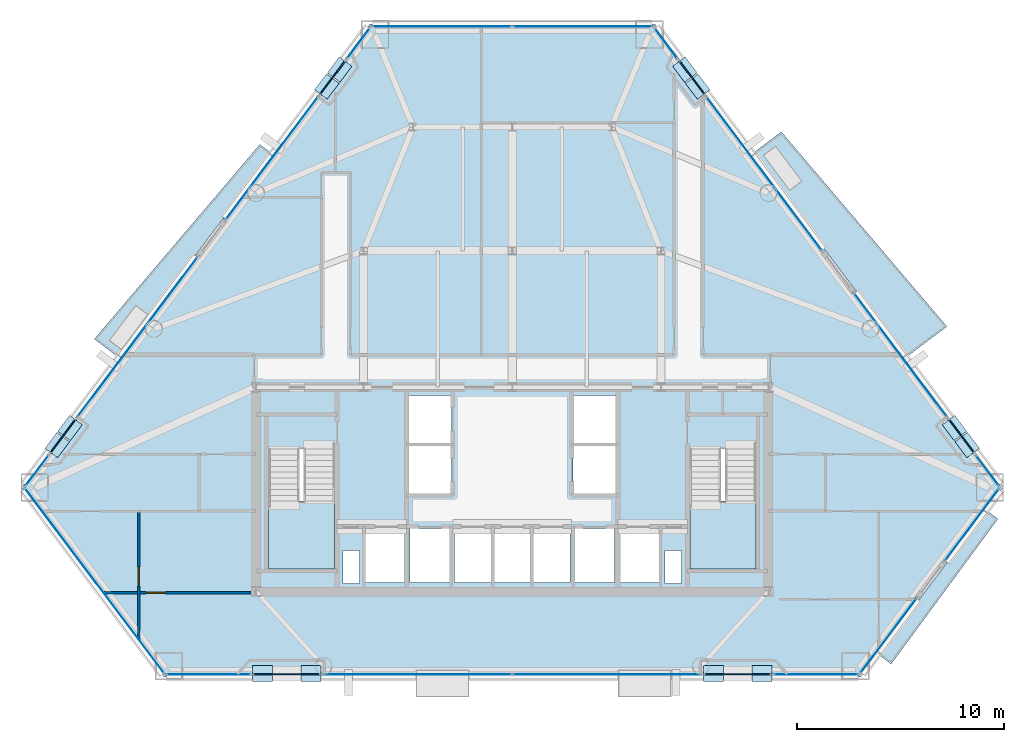
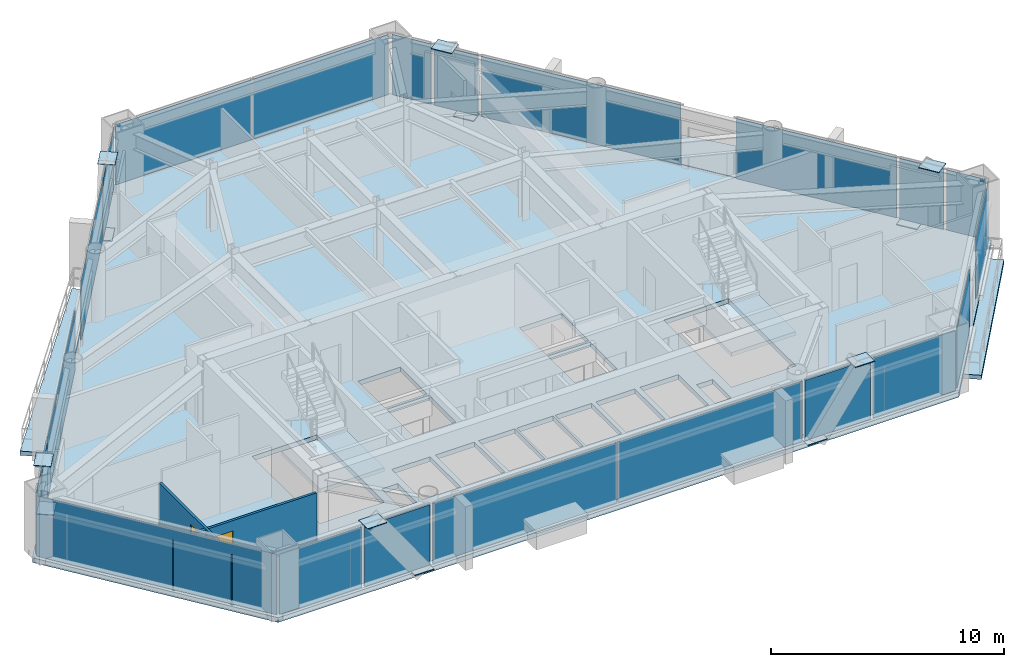
# One storey, part 5 of 10: 35 plates, 6 slabs, 2 doors, 2 walls, 2 openings, 23 elements without a shape of their own.
"""IFC4 building model written with IfcOpenShell, lengths in metres."""

from ifc_helpers import new_model, si_unit, direction, frame, frame_2d, origin, origin_2d, place, context, subcontext, project, spatial, polyline, rectangle, outline, extrude, source, transform, mapped, material, layer, layer_set, type_object, type_shapes, element, fill, aggregate, save


model = new_model("IFC4")

# Units and contexts
model_context = context("Model", 3, precision=1e-05, world=origin(), true_north=direction((0.0, 1.0)))
body_context = subcontext(model_context, "Body", "Model", "MODEL_VIEW")
ifc_project = project(units=[si_unit("LENGTHUNIT", "METRE"), si_unit("AREAUNIT", "SQUARE_METRE"), si_unit("VOLUMEUNIT", "CUBIC_METRE"), si_unit("PLANEANGLEUNIT", "RADIAN"), si_unit("MASSUNIT", "GRAM", prefix="KILO")], contexts=[model_context])

# Site, building, storey
site_placement = place(None, origin())
site = spatial("IfcSite", under=ifc_project, at=site_placement, CompositionType="ELEMENT")
building_placement = place(site_placement, origin())
building = spatial("IfcBuilding", under=site, at=building_placement, Name="Talgorran Terracotta Tower", CompositionType="ELEMENT")
storey_placement = place(building_placement, frame((0.0, 0.0, 86.39990234375)))
storey = spatial("IfcBuildingStorey", under=building, at=storey_placement, Name="L22", CompositionType="ELEMENT", Elevation=86.39990234375)

# Plates
ifc_material_1 = material(Name="Steel Grade 350 (350L0)", Category="steel")
ifc_layer_1 = layer(ifc_material_1, 0.0400390625, Name="PL_CAP_MN05")
ifc_layer_set_1 = layer_set([ifc_layer_1], Name="Steel Grade 350 (350L0)")
plate_type_1 = type_object("IfcPlateType", Name="PL_CAP_MN05", PredefinedType="USERDEFINED", material=ifc_layer_set_1)
for number, where, z_axis, x_axis, name in (
    (1, (-9.740234375, -18.062255859375, -0.010009765625), (0.0, 0.0, 1.0), (-1.0, 0.0, 0.0), "L22 Diagonal Frame End Cap SWF Bot"),
    (2, (-12.09130859375, -18.062255859375, 3.25), (0.0, 0.0, 1.0), (-1.0, 0.0, 0.0), "L22 Diagonal Frame End Cap SWF Top"),
    (3, (9.740234375, -18.062255859375, -0.010009765625), (0.0, 0.0, 1.0), (1.0, 0.0, 0.0), "L22 Diagonal Frame End Cap SEF Bot"),
    (4, (12.09130859375, -18.062255859375, 3.25), (0.0, 0.0, 1.0), (1.0, 0.0, 0.0), "L22 Diagonal Frame End Cap SEF Top"),
    (5, (21.40869140625, -6.177978515625, -0.010009765625), (0.0, 0.0, 1.0), (0.601117853128, -0.799160388565, 0.0), "L22 Diagonal Frame End Cap NEL Bot"),
    (6, (22.028564453125, -7.002197265625, 3.25), (0.0, 0.0, 1.0), (0.601117853128, -0.799160388565, 0.0), "L22 Diagonal Frame End Cap NEL Top"),
    (7, (8.977783203125, 10.351318359375, -0.010009765625), (0.0, 0.0, 1.0), (-0.601117853128, 0.799160388565, 0.0), "L22 Diagonal Frame End Cap NEU Bot"),
    (8, (8.35791015625, 11.175537109375, 3.25), (0.0, 0.0, 1.0), (-0.601117853128, 0.799160388565, 0.0), "L22 Diagonal Frame End Cap NEU Top"),
    (9, (-8.977783203125, 10.351318359375, -0.010009765625), (0.0, 0.0, 1.0), (0.601117853128, 0.799160388565, 0.0), "L22 Diagonal Frame End Cap NWU Bot"),
    (10, (-8.35791015625, 11.175537109375, 3.25), (0.0, 0.0, 1.0), (0.601117853128, 0.799160388565, 0.0), "L22 Diagonal Frame End Cap NWU Top"),
    (11, (-21.40869140625, -6.177978515625, -0.010009765625), (0.0, 0.0, 1.0), (-0.601117853128, -0.799160388565, 0.0), "L22 Diagonal Frame End Cap NWL Bot"),
    (12, (-22.028564453125, -7.002197265625, 3.25), (0.0, 0.0, 1.0), (-0.601117853128, -0.799160388565, 0.0), "L22 Diagonal Frame End Cap NWL Top"),
):
    element("IfcPlate", number, at=place(storey_placement, frame(where, z_axis=z_axis, x_axis=x_axis)), inside=storey, type_object=plate_type_1, Name=name, ObjectType="CAP PLATE", PredefinedType="USERDEFINED", context=body_context, shape_type="SweptSolid", body=[
        extrude(rectangle(XDim=0.9599609375, YDim=0.760009765625, at=origin_2d()), origin(), (0.0, 0.0, 1.0), 0.0400390625),
    ])

# Slabs
ifc_material_2 = material(Name="Concrete C40/50", Category="concrete")
ifc_layer_2 = layer(ifc_material_2, 0.219970703125, Name="SL_BALCONY_220")
ifc_layer_set_2 = layer_set([ifc_layer_2], Name="Concrete C40/50")
slab_type_1 = type_object("IfcSlabType", Name="SL_BALCONY_220", PredefinedType="FLOOR", material=ifc_layer_set_2)
slab_1_placement = place(storey_placement, frame((0.0, 0.0, -0.219970703125)))
element("IfcSlab", 13, at=slab_1_placement, inside=storey, type_object=slab_type_1, Name="L22 Outdoor Wave Balcony BAL-NE", PredefinedType="FLOOR", context=body_context, shape_type="SweptSolid", body=[
    extrude(outline(polyline([(11.63330078125, 7.11181640625), (19.0576171875, -2.760498046875), (21.044677734375, -1.26611328125), (13.0283203125, 8.1611328125), (11.63330078125, 7.11181640625)])), origin(), (0.0, 0.0, 1.0), 0.219970703125),
])
slab_2_placement = place(storey_placement, frame((0.0, 0.0, -0.219970703125)))
element("IfcSlab", 14, at=slab_2_placement, inside=storey, type_object=slab_type_1, Name="L22 Outdoor Wave Balcony BAL-NW", PredefinedType="FLOOR", context=body_context, shape_type="SweptSolid", body=[
    extrude(outline(polyline([(-19.0576171875, -2.760498046875), (-11.63330078125, 7.11181640625), (-12.219482421875, 7.552734375), (-20.23583984375, -1.874267578125), (-19.0576171875, -2.760498046875)])), origin(), (0.0, 0.0, 1.0), 0.219970703125),
])
slab_3_placement = place(storey_placement, frame((0.0, 0.0, -0.219970703125)))
element("IfcSlab", 15, at=slab_3_placement, inside=storey, type_object=slab_type_1, Name="L22 Outdoor Wave Balcony BAL-SE", PredefinedType="FLOOR", context=body_context, shape_type="SweptSolid", body=[
    extrude(outline(polyline([(22.95458984375, -10.1611328125), (17.712890625, -17.130615234375), (18.343505859375, -17.60498046875), (23.514404296875, -10.582275390625), (22.95458984375, -10.1611328125)])), origin(), (0.0, 0.0, 1.0), 0.219970703125),
])

# Stair, slab
stair_type = type_object("IfcStairType", Name="ST_FIRE_SCISSOR", PredefinedType="HALF_TURN_STAIR", material=ifc_material_2)
stair_1_placement = place(storey_placement, origin())
stair_1 = element("IfcStair", 16, at=stair_1_placement, inside=storey, type_object=stair_type, Name="L22 West Protected Fire Stair ST-01", PredefinedType="HALF_TURN_STAIR")
ifc_layer_3 = layer(ifc_material_2, 0.199951171875, Name="SL_LANDING_200")
ifc_layer_set_3 = layer_set([ifc_layer_3], Name="Concrete C40/50")
slab_type_2 = type_object("IfcSlabType", Name="SL_LANDING_200", PredefinedType="LANDING", material=ifc_layer_set_3)
slab_4_placement = place(storey_placement, frame((0.0, 0.0, 1.60009765625)))
slab_4 = element("IfcSlab", 17, at=slab_4_placement, type_object=slab_type_2, Name="ST-01 landing 1", PredefinedType="LANDING", context=body_context, shape_type="SweptSolid", body=[
    extrude(outline(polyline([(-11.800048828125, -9.719970703125), (-11.800048828125, -13.0), (-8.60009765625, -13.0), (-8.60009765625, -9.719970703125), (-11.800048828125, -9.719970703125)])), origin(), (0.0, 0.0, 1.0), 0.199951171875),
])
aggregate(stair_1, [slab_4])

stair_2_placement = place(storey_placement, origin())
stair_2 = element("IfcStair", 18, at=stair_2_placement, inside=storey, type_object=stair_type, Name="L22 East Protected Fire Stair ST-02", PredefinedType="HALF_TURN_STAIR")
slab_5_placement = place(storey_placement, frame((0.0, 0.0, 1.60009765625)))
slab_5 = element("IfcSlab", 19, at=slab_5_placement, type_object=slab_type_2, Name="ST-02 landing 1", PredefinedType="LANDING", context=body_context, shape_type="SweptSolid", body=[
    extrude(outline(polyline([(8.60009765625, -9.719970703125), (8.60009765625, -13.0), (11.800048828125, -13.0), (11.800048828125, -9.719970703125), (8.60009765625, -9.719970703125)])), origin(), (0.0, 0.0, 1.0), 0.199951171875),
])
aggregate(stair_2, [slab_5])

# Slab
ifc_layer_4 = layer(ifc_material_2, 0.264892578125, Name="SL_TOWER_265")
ifc_layer_set_4 = layer_set([ifc_layer_4], Name="Concrete C40/50")
slab_type_3 = type_object("IfcSlabType", Name="SL_TOWER_265", PredefinedType="FLOOR", material=ifc_layer_set_4)
slab_6_placement = place(storey_placement, frame((0.0, 0.0, -0.25)))
element("IfcSlab", 20, at=slab_6_placement, inside=storey, type_object=slab_type_3, Name="Storey L22 Structural Floor Slab", PredefinedType="FLOOR", context=body_context, shape_type="SweptSolid", body=[
    extrude(outline(polyline([(-23.77001953125, -9.0517578125), (-16.873291015625, -18.22216796875), (16.873291015625, -18.22216796875), (23.77001953125, -9.0517578125), (6.896484375, 13.385009765625), (-6.896484375, 13.385009765625), (-23.77001953125, -9.0517578125)]), holes=[polyline([(-11.800048828125, -7.199951171875), (-11.800048828125, -13.0), (-8.60009765625, -13.0), (-8.60009765625, -7.199951171875), (-11.800048828125, -7.199951171875)]), polyline([(8.60009765625, -7.199951171875), (8.60009765625, -13.0), (11.800048828125, -13.0), (11.800048828125, -7.199951171875), (8.60009765625, -7.199951171875)]), polyline([(-7.10009765625, -13.64990234375), (-5.199951171875, -13.64990234375), (-5.199951171875, -11.050048828125), (-7.10009765625, -11.050048828125), (-7.10009765625, -13.64990234375)]), polyline([(5.199951171875, -13.64990234375), (7.10009765625, -13.64990234375), (7.10009765625, -11.050048828125), (5.199951171875, -11.050048828125), (5.199951171875, -13.64990234375)]), polyline([(3.0, -13.64990234375), (4.949951171875, -13.64990234375), (4.949951171875, -11.050048828125), (3.0, -11.050048828125), (3.0, -13.64990234375)]), polyline([(-4.949951171875, -13.64990234375), (-3.0, -13.64990234375), (-3.0, -11.050048828125), (-4.949951171875, -11.050048828125), (-4.949951171875, -13.64990234375)]), polyline([(-5.050048828125, -9.35009765625), (-2.949951171875, -9.35009765625), (-2.949951171875, -7.050048828125), (-5.050048828125, -7.050048828125), (-5.050048828125, -9.35009765625)]), polyline([(-5.050048828125, -6.89990234375), (-2.949951171875, -6.89990234375), (-2.949951171875, -4.60009765625), (-5.050048828125, -4.60009765625), (-5.050048828125, -6.89990234375)]), polyline([(2.949951171875, -9.35009765625), (5.050048828125, -9.35009765625), (5.050048828125, -7.050048828125), (2.949951171875, -7.050048828125), (2.949951171875, -9.35009765625)]), polyline([(2.949951171875, -6.89990234375), (5.050048828125, -6.89990234375), (5.050048828125, -4.60009765625), (2.949951171875, -4.60009765625), (2.949951171875, -6.89990234375)]), polyline([(-2.800048828125, -13.64990234375), (-1.0, -13.64990234375), (-1.0, -11.050048828125), (-2.800048828125, -11.050048828125), (-2.800048828125, -13.64990234375)]), polyline([(-0.89990234375, -13.64990234375), (0.89990234375, -13.64990234375), (0.89990234375, -11.050048828125), (-0.89990234375, -11.050048828125), (-0.89990234375, -13.64990234375)]), polyline([(1.0, -13.64990234375), (2.800048828125, -13.64990234375), (2.800048828125, -11.050048828125), (1.0, -11.050048828125), (1.0, -13.64990234375)]), polyline([(-8.199951171875, -13.699951171875), (-7.39990234375, -13.699951171875), (-7.39990234375, -12.10009765625), (-8.199951171875, -12.10009765625), (-8.199951171875, -13.699951171875)]), polyline([(7.39990234375, -13.699951171875), (8.199951171875, -13.699951171875), (8.199951171875, -12.10009765625), (7.39990234375, -12.10009765625), (7.39990234375, -13.699951171875)])]), origin(), (0.0, 0.0, 1.0), 0.25),
])

# Curtain wall, plate
ifc_material_3 = material(Name="Unitised Low-E Double Glazing", Category="glass")
ifc_layer_5 = layer(ifc_material_3, 0.199951171875, Name="CW_SYS2_RES_LOW")
ifc_layer_set_5 = layer_set([ifc_layer_5], Name="Unitised Low-E Double Glazing")
curtain_wall_type = type_object("IfcCurtainWallType", Name="CW_SYS2_RES_LOW", PredefinedType="NOTDEFINED", material=ifc_layer_set_5)
curtain_wall_1_placement = place(storey_placement, origin())
curtain_wall_1 = element("IfcCurtainWall", 21, at=curtain_wall_1_placement, inside=storey, type_object=curtain_wall_type, Name="CW-L22-F0", PredefinedType="NOTDEFINED")
ifc_material_4 = material(Name="Low-E Laminated Vision Glass", Category="glass")
ifc_layer_6 = layer(ifc_material_4, 0.028076171875, Name="PLT_VISION_28")
ifc_layer_set_6 = layer_set([ifc_layer_6], Name="Low-E Laminated Vision Glass")
plate_type_2 = type_object("IfcPlateType", Name="PLT_VISION_28", PredefinedType="CURTAIN_PANEL", material=ifc_layer_set_6)
shared_shape_1 = source(origin(), body_context, "Body", "SweptSolid", [
    extrude(rectangle(XDim=11.1943359375, YDim=0.028076171875, at=origin_2d()), origin(), (0.0, 0.0, 1.0), 3.14990234375),
])
plate_1_placement = place(storey_placement, frame((-20.216796875, -13.576904296875, 0.065185546875), z_axis=(0.0, 0.0, 1.0), x_axis=(0.601052083423, -0.799209855428, 0.0)))
plate_1 = element("IfcPlate", 22, at=plate_1_placement, type_object=plate_type_2, Name="CW-L22-0 panel 1.1", PredefinedType="CURTAIN_PANEL", context=body_context, shape_type="MappedRepresentation", body=[
    mapped(shared_shape_1, transform((0.0, 0.0, 0.0), scale=1.0)),
])
aggregate(curtain_wall_1, [plate_1])

curtain_wall_2_placement = place(storey_placement, origin())
curtain_wall_2 = element("IfcCurtainWall", 23, at=curtain_wall_2_placement, inside=storey, type_object=curtain_wall_type, Name="CW-L22-F1", PredefinedType="NOTDEFINED")
shared_shape_2 = source(origin(), body_context, "Body", "SweptSolid", [
    extrude(rectangle(XDim=4.069580078125, YDim=0.028076171875, at=origin_2d()), origin(), (0.0, 0.0, 1.0), 3.14990234375),
])
plate_2_placement = place(storey_placement, frame((-14.713623046875, -18.102294921875, 0.065185546875), z_axis=(0.0, 0.0, 1.0), x_axis=(1.0, 0.0, 0.0)))
plate_2 = element("IfcPlate", 24, at=plate_2_placement, type_object=plate_type_2, Name="CW-L22-1 panel 1.1", PredefinedType="CURTAIN_PANEL", context=body_context, shape_type="MappedRepresentation", body=[
    mapped(shared_shape_2, transform((0.0, 0.0, 0.0), scale=1.0)),
])
aggregate(curtain_wall_2, [plate_2])

curtain_wall_3_placement = place(storey_placement, origin())
curtain_wall_3 = element("IfcCurtainWall", 25, at=curtain_wall_3_placement, inside=storey, type_object=curtain_wall_type, Name="CW-L22-F1E", PredefinedType="NOTDEFINED")
plate_3_placement = place(storey_placement, frame((14.713623046875, -18.102294921875, 0.065185546875), z_axis=(0.0, 0.0, 1.0), x_axis=(1.0, 0.0, 0.0)))
plate_3 = element("IfcPlate", 26, at=plate_3_placement, type_object=plate_type_2, Name="CW-L22-1E panel 1.1", PredefinedType="CURTAIN_PANEL", context=body_context, shape_type="MappedRepresentation", body=[
    mapped(shared_shape_2, transform((0.0, 0.0, 0.0), scale=1.0)),
])
aggregate(curtain_wall_3, [plate_3])

curtain_wall_4_placement = place(storey_placement, origin())
curtain_wall_4 = element("IfcCurtainWall", 27, at=curtain_wall_4_placement, inside=storey, type_object=curtain_wall_type, Name="CW-L22-F1B", PredefinedType="NOTDEFINED")
ifc_material_5 = material(Name="Terracotta Insulated Spandrel", Category="masonry")
ifc_layer_7 = layer(ifc_material_5, 0.06494140625, Name="PLT_SPANDREL_TERRA")
ifc_layer_set_7 = layer_set([ifc_layer_7], Name="Terracotta Insulated Spandrel")
plate_type_3 = type_object("IfcPlateType", Name="PLT_SPANDREL_TERRA", PredefinedType="SHEET", material=ifc_layer_set_7)
shared_shape_3 = source(origin(), body_context, "Body", "SweptSolid", [
    extrude(rectangle(XDim=3.246337890625, YDim=0.06494140625, at=origin_2d()), origin(), (0.0, 0.0, 1.0), 3.14990234375),
])
plate_4_placement = place(storey_placement, frame((-10.915771484375, -18.102294921875, 0.065185546875), z_axis=(0.0, 0.0, 1.0), x_axis=(1.0, 0.0, 0.0)))
plate_4 = element("IfcPlate", 28, at=plate_4_placement, type_object=plate_type_3, Name="CW-L22-1B panel 1.1", PredefinedType="CURTAIN_PANEL", context=body_context, shape_type="MappedRepresentation", body=[
    mapped(shared_shape_3, transform((0.0, 0.0, 0.0), scale=1.0)),
])
aggregate(curtain_wall_4, [plate_4])

curtain_wall_5_placement = place(storey_placement, origin())
curtain_wall_5 = element("IfcCurtainWall", 29, at=curtain_wall_5_placement, inside=storey, type_object=curtain_wall_type, Name="CW-L22-F1D", PredefinedType="NOTDEFINED")
plate_5_placement = place(storey_placement, frame((10.915771484375, -18.102294921875, 0.065185546875), z_axis=(0.0, 0.0, 1.0), x_axis=(1.0, 0.0, 0.0)))
plate_5 = element("IfcPlate", 30, at=plate_5_placement, type_object=plate_type_3, Name="CW-L22-1D panel 1.1", PredefinedType="CURTAIN_PANEL", context=body_context, shape_type="MappedRepresentation", body=[
    mapped(shared_shape_3, transform((0.0, 0.0, 0.0), scale=1.0)),
])
aggregate(curtain_wall_5, [plate_5])

# Curtain wall, plates
curtain_wall_6_placement = place(storey_placement, origin())
curtain_wall_6 = element("IfcCurtainWall", 31, at=curtain_wall_6_placement, inside=storey, type_object=curtain_wall_type, Name="CW-L22-F1C", PredefinedType="NOTDEFINED")
shared_shape_4 = source(origin(), body_context, "Body", "SweptSolid", [
    extrude(rectangle(XDim=9.1201171875, YDim=0.028076171875, at=origin_2d()), origin(), (0.0, 0.0, 1.0), 3.14990234375),
])
plate_6_placement = place(storey_placement, frame((-4.592529296875, -18.102294921875, 0.065185546875), z_axis=(0.0, 0.0, 1.0), x_axis=(1.0, 0.0, 0.0)))
plate_6 = element("IfcPlate", 32, at=plate_6_placement, type_object=plate_type_2, Name="CW-L22-1C panel 1.1", PredefinedType="CURTAIN_PANEL", context=body_context, shape_type="MappedRepresentation", body=[
    mapped(shared_shape_4, transform((0.0, 0.0, 0.0), scale=1.0)),
])
plate_7_placement = place(storey_placement, frame((4.592529296875, -18.102294921875, 0.065185546875), z_axis=(0.0, 0.0, 1.0), x_axis=(1.0, 0.0, 0.0)))
plate_7 = element("IfcPlate", 33, at=plate_7_placement, type_object=plate_type_2, Name="CW-L22-1C panel 2.1", PredefinedType="CURTAIN_PANEL", context=body_context, shape_type="MappedRepresentation", body=[
    mapped(shared_shape_4, transform((0.0, 0.0, 0.0), scale=1.0)),
])
aggregate(curtain_wall_6, [plate_6, plate_7])

# Curtain wall, plate
curtain_wall_7_placement = place(storey_placement, origin())
curtain_wall_7 = element("IfcCurtainWall", 34, at=curtain_wall_7_placement, inside=storey, type_object=curtain_wall_type, Name="CW-L22-F30", PredefinedType="NOTDEFINED")
shared_shape_5 = source(origin(), body_context, "Body", "SweptSolid", [
    extrude(rectangle(XDim=4.48681640625, YDim=0.028076171875, at=origin_2d()), origin(), (0.0, 0.0, 1.0), 3.14990234375),
])
plate_8_placement = place(storey_placement, frame((18.22509765625, -16.225341796875, 0.065185546875), z_axis=(0.0, 0.0, 1.0), x_axis=(0.601059937514, 0.799203948636, 0.0)))
plate_8 = element("IfcPlate", 35, at=plate_8_placement, type_object=plate_type_2, Name="CW-L22-30 panel 1.1", PredefinedType="CURTAIN_PANEL", context=body_context, shape_type="MappedRepresentation", body=[
    mapped(shared_shape_5, transform((0.0, 0.0, 0.0), scale=1.0)),
])
aggregate(curtain_wall_7, [plate_8])

curtain_wall_8_placement = place(storey_placement, origin())
curtain_wall_8 = element("IfcCurtainWall", 36, at=curtain_wall_8_placement, inside=storey, type_object=curtain_wall_type, Name="CW-L22-F31", PredefinedType="NOTDEFINED")
shared_shape_6 = source(origin(), body_context, "Body", "SweptSolid", [
    extrude(rectangle(XDim=4.33740234375, YDim=0.028076171875, at=origin_2d()), origin(), (0.0, 0.0, 1.0), 3.14990234375),
])
plate_9_placement = place(storey_placement, frame((22.25341796875, -10.868896484375, 0.065185546875), z_axis=(0.0, 0.0, 1.0), x_axis=(0.601059587233, 0.799204212073, 0.0)))
plate_9 = element("IfcPlate", 37, at=plate_9_placement, type_object=plate_type_2, Name="CW-L22-31 panel 1.1", PredefinedType="CURTAIN_PANEL", context=body_context, shape_type="MappedRepresentation", body=[
    mapped(shared_shape_6, transform((0.0, 0.0, 0.0), scale=1.0)),
])
aggregate(curtain_wall_8, [plate_9])

curtain_wall_9_placement = place(storey_placement, origin())
curtain_wall_9 = element("IfcCurtainWall", 38, at=curtain_wall_9_placement, inside=storey, type_object=curtain_wall_type, Name="CW-L22-F40", PredefinedType="NOTDEFINED")
shared_shape_7 = source(origin(), body_context, "Body", "SweptSolid", [
    extrude(rectangle(XDim=1.839599609375, YDim=0.028076171875, at=origin_2d()), origin(), (0.0, 0.0, 1.0), 3.14990234375),
])
plate_10_placement = place(storey_placement, frame((23.004150390625, -8.232666015625, 0.065185546875), z_axis=(0.0, 0.0, 1.0), x_axis=(-0.601079863298, 0.799188962598, 0.0)))
plate_10 = element("IfcPlate", 39, at=plate_10_placement, type_object=plate_type_2, Name="CW-L22-40 panel 1.1", PredefinedType="CURTAIN_PANEL", context=body_context, shape_type="MappedRepresentation", body=[
    mapped(shared_shape_7, transform((0.0, 0.0, 0.0), scale=1.0)),
])
aggregate(curtain_wall_9, [plate_10])

curtain_wall_10_placement = place(storey_placement, origin())
curtain_wall_10 = element("IfcCurtainWall", 40, at=curtain_wall_10_placement, inside=storey, type_object=curtain_wall_type, Name="CW-L22-F61C", PredefinedType="NOTDEFINED")
plate_11_placement = place(storey_placement, frame((-23.004150390625, -8.232666015625, 0.065185546875), z_axis=(0.0, 0.0, 1.0), x_axis=(-0.60104743411, -0.799213351959, 0.0)))
plate_11 = element("IfcPlate", 41, at=plate_11_placement, type_object=plate_type_2, Name="CW-L22-61C panel 1.1", PredefinedType="CURTAIN_PANEL", context=body_context, shape_type="MappedRepresentation", body=[
    mapped(shared_shape_7, transform((0.0, 0.0, 0.0), scale=1.0)),
])
aggregate(curtain_wall_10, [plate_11])

curtain_wall_11_placement = place(storey_placement, origin())
curtain_wall_11 = element("IfcCurtainWall", 42, at=curtain_wall_11_placement, inside=storey, type_object=curtain_wall_type, Name="CW-L22-F40B", PredefinedType="NOTDEFINED")
shared_shape_8 = source(origin(), body_context, "Body", "SweptSolid", [
    extrude(rectangle(XDim=2.051025390625, YDim=0.06494140625, at=origin_2d()), origin(), (0.0, 0.0, 1.0), 3.14990234375),
])
plate_12_placement = place(storey_placement, frame((21.750732421875, -6.566162109375, 0.065185546875), z_axis=(0.0, 0.0, 1.0), x_axis=(-0.601048533674, 0.799212525032, 0.0)))
plate_12 = element("IfcPlate", 43, at=plate_12_placement, type_object=plate_type_3, Name="CW-L22-40B panel 1.1", PredefinedType="CURTAIN_PANEL", context=body_context, shape_type="MappedRepresentation", body=[
    mapped(shared_shape_8, transform((0.0, 0.0, 0.0), scale=1.0)),
])
aggregate(curtain_wall_11, [plate_12])

curtain_wall_12_placement = place(storey_placement, origin())
curtain_wall_12 = element("IfcCurtainWall", 44, at=curtain_wall_12_placement, inside=storey, type_object=curtain_wall_type, Name="CW-L22-F41B", PredefinedType="NOTDEFINED")
plate_13_placement = place(storey_placement, frame((8.699951171875, 10.78759765625, 0.065185546875), z_axis=(0.0, 0.0, 1.0), x_axis=(-0.60107781877, 0.799190500308, 0.0)))
plate_13 = element("IfcPlate", 45, at=plate_13_placement, type_object=plate_type_3, Name="CW-L22-41B panel 1.1", PredefinedType="CURTAIN_PANEL", context=body_context, shape_type="MappedRepresentation", body=[
    mapped(shared_shape_8, transform((0.0, 0.0, 0.0), scale=1.0)),
])
aggregate(curtain_wall_12, [plate_13])

curtain_wall_13_placement = place(storey_placement, origin())
curtain_wall_13 = element("IfcCurtainWall", 46, at=curtain_wall_13_placement, inside=storey, type_object=curtain_wall_type, Name="CW-L22-F60B", PredefinedType="NOTDEFINED")
plate_14_placement = place(storey_placement, frame((-8.699951171875, 10.78759765625, 0.065185546875), z_axis=(0.0, 0.0, 1.0), x_axis=(-0.60107781877, -0.799190500308, 0.0)))
plate_14 = element("IfcPlate", 47, at=plate_14_placement, type_object=plate_type_3, Name="CW-L22-60B panel 1.1", PredefinedType="CURTAIN_PANEL", context=body_context, shape_type="MappedRepresentation", body=[
    mapped(shared_shape_8, transform((0.0, 0.0, 0.0), scale=1.0)),
])
aggregate(curtain_wall_13, [plate_14])

curtain_wall_14_placement = place(storey_placement, origin())
curtain_wall_14 = element("IfcCurtainWall", 48, at=curtain_wall_14_placement, inside=storey, type_object=curtain_wall_type, Name="CW-L22-F40C", PredefinedType="NOTDEFINED")
shared_shape_9 = source(origin(), body_context, "Body", "SweptSolid", [
    extrude(rectangle(XDim=7.482177734375, YDim=0.028076171875, at=origin_2d()), origin(), (0.0, 0.0, 1.0), 3.14990234375),
])
plate_15_placement = place(storey_placement, frame((18.801513671875, -2.64453125, 0.065185546875), z_axis=(0.0, 0.0, 1.0), x_axis=(-0.601052534013, 0.799209516558, 0.0)))
plate_15 = element("IfcPlate", 49, at=plate_15_placement, type_object=plate_type_2, Name="CW-L22-40C panel 1.1", PredefinedType="CURTAIN_PANEL", context=body_context, shape_type="MappedRepresentation", body=[
    mapped(shared_shape_9, transform((0.0, 0.0, 0.0), scale=1.0)),
])
aggregate(curtain_wall_14, [plate_15])

curtain_wall_15_placement = place(storey_placement, origin())
curtain_wall_15 = element("IfcCurtainWall", 50, at=curtain_wall_15_placement, inside=storey, type_object=curtain_wall_type, Name="CW-L22-F41", PredefinedType="NOTDEFINED")
shared_shape_10 = source(origin(), body_context, "Body", "SweptSolid", [
    extrude(rectangle(XDim=9.31005859375, YDim=0.028076171875, at=origin_2d()), origin(), (0.0, 0.0, 1.0), 3.14990234375),
])
plate_16_placement = place(storey_placement, frame((12.198486328125, 6.1357421875, 0.065185546875), z_axis=(0.0, 0.0, 1.0), x_axis=(-0.601048617911, 0.799212461682, 0.0)))
plate_16 = element("IfcPlate", 51, at=plate_16_placement, type_object=plate_type_2, Name="CW-L22-41 panel 1.1", PredefinedType="CURTAIN_PANEL", context=body_context, shape_type="MappedRepresentation", body=[
    mapped(shared_shape_10, transform((0.0, 0.0, 0.0), scale=1.0)),
])
aggregate(curtain_wall_15, [plate_16])

curtain_wall_16_placement = place(storey_placement, origin())
curtain_wall_16 = element("IfcCurtainWall", 52, at=curtain_wall_16_placement, inside=storey, type_object=curtain_wall_type, Name="CW-L22-F41C", PredefinedType="NOTDEFINED")
shared_shape_11 = source(origin(), body_context, "Body", "SweptSolid", [
    extrude(rectangle(XDim=1.829345703125, YDim=0.028076171875, at=origin_2d()), origin(), (0.0, 0.0, 1.0), 3.14990234375),
])
plate_17_placement = place(storey_placement, frame((7.449462890625, 12.4501953125, 0.065185546875), z_axis=(0.0, 0.0, 1.0), x_axis=(-0.601044694277, 0.79921541244, 0.0)))
plate_17 = element("IfcPlate", 53, at=plate_17_placement, type_object=plate_type_2, Name="CW-L22-41C panel 1.1", PredefinedType="CURTAIN_PANEL", context=body_context, shape_type="MappedRepresentation", body=[
    mapped(shared_shape_11, transform((0.0, 0.0, 0.0), scale=1.0)),
])
aggregate(curtain_wall_16, [plate_17])

curtain_wall_17_placement = place(storey_placement, origin())
curtain_wall_17 = element("IfcCurtainWall", 54, at=curtain_wall_17_placement, inside=storey, type_object=curtain_wall_type, Name="CW-L22-F60", PredefinedType="NOTDEFINED")
plate_18_placement = place(storey_placement, frame((-7.449462890625, 12.4501953125, 0.065185546875), z_axis=(0.0, 0.0, 1.0), x_axis=(-0.601044694277, -0.79921541244, 0.0)))
plate_18 = element("IfcPlate", 55, at=plate_18_placement, type_object=plate_type_2, Name="CW-L22-60 panel 1.1", PredefinedType="CURTAIN_PANEL", context=body_context, shape_type="MappedRepresentation", body=[
    mapped(shared_shape_11, transform((0.0, 0.0, 0.0), scale=1.0)),
])
aggregate(curtain_wall_17, [plate_18])

# Curtain wall, plates
curtain_wall_18_placement = place(storey_placement, origin())
curtain_wall_18 = element("IfcCurtainWall", 56, at=curtain_wall_18_placement, inside=storey, type_object=curtain_wall_type, Name="CW-L22-F4", PredefinedType="NOTDEFINED")
shared_shape_12 = source(origin(), body_context, "Body", "SweptSolid", [
    extrude(rectangle(XDim=6.7392578125, YDim=0.028076171875, at=origin_2d()), origin(), (0.0, 0.0, 1.0), 3.14990234375),
])
plate_19_placement = place(storey_placement, frame((3.402099609375, 13.26513671875, 0.065185546875), z_axis=(0.0, 0.0, 1.0), x_axis=(-1.0, 0.0, 0.0)))
plate_19 = element("IfcPlate", 57, at=plate_19_placement, type_object=plate_type_2, Name="CW-L22-4 panel 1.1", PredefinedType="CURTAIN_PANEL", context=body_context, shape_type="MappedRepresentation", body=[
    mapped(shared_shape_12, transform((0.0, 0.0, 0.0), scale=1.0)),
])
plate_20_placement = place(storey_placement, frame((-3.402099609375, 13.26513671875, 0.065185546875), z_axis=(0.0, 0.0, 1.0), x_axis=(-1.0, 0.0, 0.0)))
plate_20 = element("IfcPlate", 58, at=plate_20_placement, type_object=plate_type_2, Name="CW-L22-4 panel 2.1", PredefinedType="CURTAIN_PANEL", context=body_context, shape_type="MappedRepresentation", body=[
    mapped(shared_shape_12, transform((0.0, 0.0, 0.0), scale=1.0)),
])
aggregate(curtain_wall_18, [plate_19, plate_20])

# Curtain wall, plate
curtain_wall_19_placement = place(storey_placement, origin())
curtain_wall_19 = element("IfcCurtainWall", 59, at=curtain_wall_19_placement, inside=storey, type_object=curtain_wall_type, Name="CW-L22-F60C", PredefinedType="NOTDEFINED")
shared_shape_13 = source(origin(), body_context, "Body", "SweptSolid", [
    extrude(rectangle(XDim=7.42724609375, YDim=0.028076171875, at=origin_2d()), origin(), (0.0, 0.0, 1.0), 3.14990234375),
])
plate_21_placement = place(storey_placement, frame((-11.632568359375, 6.887939453125, 0.065185546875), z_axis=(0.0, 0.0, 1.0), x_axis=(-0.601047477603, -0.79921331925, 0.0)))
plate_21 = element("IfcPlate", 60, at=plate_21_placement, type_object=plate_type_2, Name="CW-L22-60C panel 1.1", PredefinedType="CURTAIN_PANEL", context=body_context, shape_type="MappedRepresentation", body=[
    mapped(shared_shape_13, transform((0.0, 0.0, 0.0), scale=1.0)),
])
aggregate(curtain_wall_19, [plate_21])

curtain_wall_20_placement = place(storey_placement, origin())
curtain_wall_20 = element("IfcCurtainWall", 61, at=curtain_wall_20_placement, inside=storey, type_object=curtain_wall_type, Name="CW-L22-F61", PredefinedType="NOTDEFINED")
shared_shape_14 = source(origin(), body_context, "Body", "SweptSolid", [
    extrude(rectangle(XDim=9.664794921875, YDim=0.028076171875, at=origin_2d()), origin(), (0.0, 0.0, 1.0), 3.14990234375),
])
type_shapes(plate_type_2, [shared_shape_1, shared_shape_2, shared_shape_4, shared_shape_5, shared_shape_6, shared_shape_7, shared_shape_9, shared_shape_10, shared_shape_11, shared_shape_12, shared_shape_13, shared_shape_14])
plate_22_placement = place(storey_placement, frame((-18.1455078125, -1.772216796875, 0.065185546875), z_axis=(0.0, 0.0, 1.0), x_axis=(-0.60104819473, -0.799212779935, 0.0)))
plate_22 = element("IfcPlate", 62, at=plate_22_placement, type_object=plate_type_2, Name="CW-L22-61 panel 1.1", PredefinedType="CURTAIN_PANEL", context=body_context, shape_type="MappedRepresentation", body=[
    mapped(shared_shape_14, transform((0.0, 0.0, 0.0), scale=1.0)),
])
aggregate(curtain_wall_20, [plate_22])

curtain_wall_21_placement = place(storey_placement, origin())
curtain_wall_21 = element("IfcCurtainWall", 63, at=curtain_wall_21_placement, inside=storey, type_object=curtain_wall_type, Name="CW-L22-F61B", PredefinedType="NOTDEFINED")
shared_shape_15 = source(origin(), body_context, "Body", "SweptSolid", [
    extrude(rectangle(XDim=2.05126953125, YDim=0.06494140625, at=origin_2d()), origin(), (0.0, 0.0, 1.0), 3.14990234375),
])
type_shapes(plate_type_3, [shared_shape_3, shared_shape_8, shared_shape_15])
plate_23_placement = place(storey_placement, frame((-21.750732421875, -6.56591796875, 0.065185546875), z_axis=(0.0, 0.0, 1.0), x_axis=(-0.601055794702, -0.799207064318, 0.0)))
plate_23 = element("IfcPlate", 64, at=plate_23_placement, type_object=plate_type_3, Name="CW-L22-61B panel 1.1", PredefinedType="CURTAIN_PANEL", context=body_context, shape_type="MappedRepresentation", body=[
    mapped(shared_shape_15, transform((0.0, 0.0, 0.0), scale=1.0)),
])
aggregate(curtain_wall_21, [plate_23])

# Wall, opening, door
ifc_material_6 = material(Name="Insulated Steel Stud Plasterboard", Category="steel")
ifc_layer_8 = layer(ifc_material_6, 0.1201171875, Name="WT_PART_120")
ifc_layer_set_8 = layer_set([ifc_layer_8], Name="Insulated Steel Stud Plasterboard")
wall_type = type_object("IfcWallType", Name="WT_PART_120", PredefinedType="PARTITIONING", material=ifc_layer_set_8)
wall_1_placement = place(storey_placement, frame((-19.7783203125, -14.159912109375, 0.0), z_axis=(0.0, 0.0, 1.0), x_axis=(1.0, 0.0, 0.0)))
wall_1 = element("IfcWall", 65, at=wall_1_placement, inside=storey, type_object=wall_type, Name="WL-L22-W-L22-R23", PredefinedType="PARTITIONING", context=body_context, shape_type="SweptSolid", body=[
    extrude(rectangle(XDim=7.126220703125, YDim=0.1201171875, at=frame_2d((3.56298828125, 0.0))), origin(), (0.0, 0.0, 1.0), 2.6435546875),
])
opening_1_placement = place(wall_1_placement, frame((2.05712890625, 0.0, 0.0)))
opening_1 = element("IfcOpeningElement", 66, at=opening_1_placement, cuts=wall_1, Name="Opening DR-L22-R05", PredefinedType="OPENING", context=body_context, shape_type="SweptSolid", body=[
    extrude(rectangle(XDim=0.925921875, YDim=2.10409765625, at=frame_2d((0.4599609375, 1.052001953125))), frame((0.0, 0.070068359375, 0.0), z_axis=(0.0, -1.0, 0.0), x_axis=(1.0, 0.0, 0.0)), (0.0, 0.0, 1.0), 0.14013671875),
])
ifc_material_7 = material(Name="Solid-Core Painted Timber", Category="wood")
door_type = type_object("IfcDoorType", Name="DT_INT_920", OperationType="NOTDEFINED", PredefinedType="DOOR", material=ifc_material_7)
door_1_placement = place(opening_1_placement, origin())
door_1 = element("IfcDoor", 67, at=door_1_placement, inside=storey, type_object=door_type, Name="DR-L22-R05", OperationType="SINGLE_SWING_LEFT", OverallHeight=2.10009765625, OverallWidth=0.919921875, PredefinedType="DOOR", context=body_context, shape_type="SweptSolid", body=[
    extrude(rectangle(XDim=0.919921875, YDim=2.10009765625, at=frame_2d((0.4599609375, 1.050048828125))), frame((0.0, 0.02490234375, 0.0), z_axis=(0.0, -1.0, 0.0), x_axis=(1.0, 0.0, 0.0)), (0.0, 0.0, 1.0), 0.050048828125),
])
fill(opening_1, door_1)

wall_2_placement = place(storey_placement, frame((-18.080078125, -16.418212890625, 0.0), z_axis=(0.0, 0.0, 1.0), x_axis=(0.0, 1.0, 0.0)))
wall_2 = element("IfcWall", 68, at=wall_2_placement, inside=storey, type_object=wall_type, Name="WL-L22-W-L22-R22", PredefinedType="PARTITIONING", context=body_context, shape_type="SweptSolid", body=[
    extrude(rectangle(XDim=6.21826171875, YDim=0.1201171875, at=frame_2d((3.109130859375, 0.0))), origin(), (0.0, 0.0, 1.0), 2.6435546875),
])
opening_2_placement = place(wall_2_placement, frame((2.59619140625, 0.0, 0.0)))
opening_2 = element("IfcOpeningElement", 69, at=opening_2_placement, cuts=wall_2, Name="Opening DR-L22-R17", PredefinedType="OPENING", context=body_context, shape_type="SweptSolid", body=[
    extrude(rectangle(XDim=0.925921875, YDim=2.10409765625, at=frame_2d((0.4599609375, 1.052001953125))), frame((0.0, 0.070068359375, 0.0), z_axis=(0.0, -1.0, 0.0), x_axis=(1.0, 0.0, 0.0)), (0.0, 0.0, 1.0), 0.14013671875),
])
door_2_placement = place(opening_2_placement, origin())
door_2 = element("IfcDoor", 70, at=door_2_placement, inside=storey, type_object=door_type, Name="DR-L22-R17", OperationType="SINGLE_SWING_LEFT", OverallHeight=2.10009765625, OverallWidth=0.919921875, PredefinedType="DOOR", context=body_context, shape_type="SweptSolid", body=[
    extrude(rectangle(XDim=0.919921875, YDim=2.10009765625, at=frame_2d((0.4599609375, 1.050048828125))), frame((0.0, 0.02490234375, 0.0), z_axis=(0.0, -1.0, 0.0), x_axis=(1.0, 0.0, 0.0)), (0.0, 0.0, 1.0), 0.050048828125),
])
fill(opening_2, door_2)

save(model, "model.ifc")
